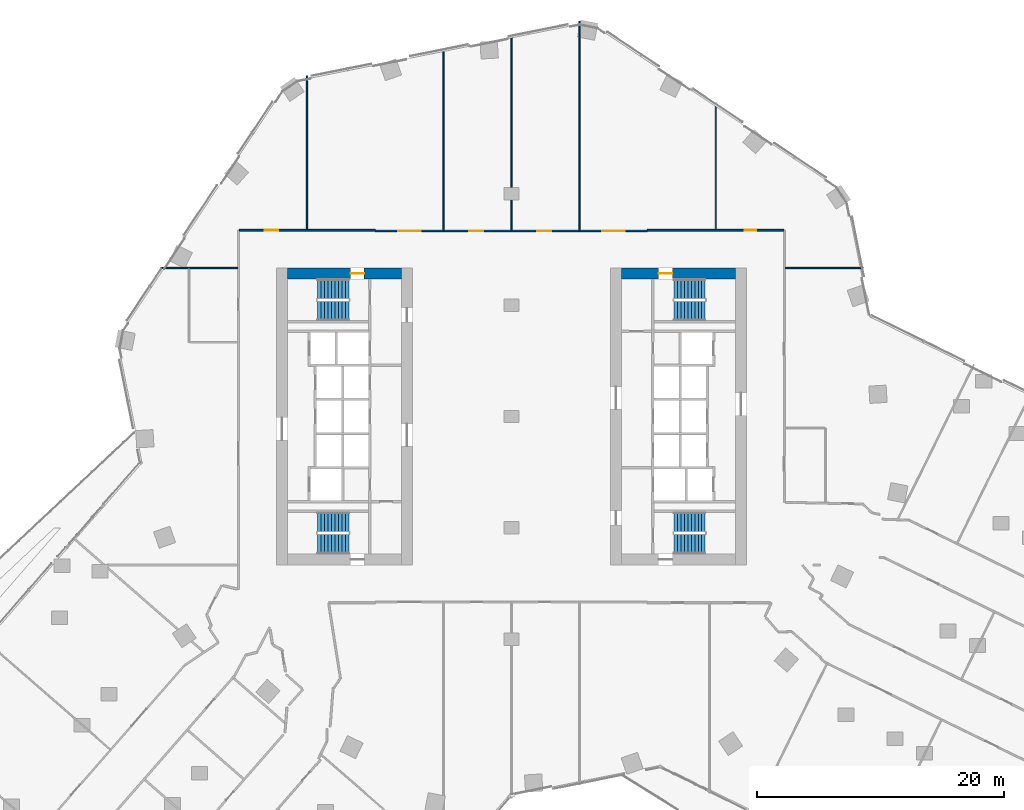
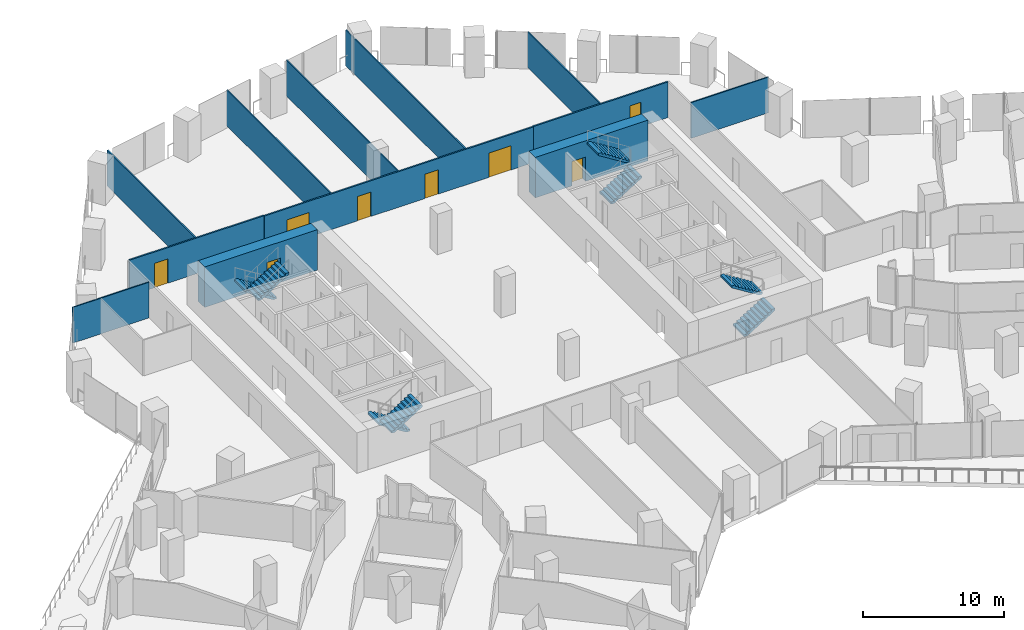
# One storey, part 27 of 32: 12 walls, 8 doors, 8 stair flights, 8 openings, 4 elements without a shape of their own.
"""IFC4 building model written with IfcOpenShell, lengths in metres."""

from ifc_helpers import new_model, si_unit, direction, frame, frame_2d, origin, place, context, subcontext, project, spatial, polyline, rectangle, outline, extrude, material, layer, layer_set, type_object, element, fill, aggregate, save


model = new_model("IFC4")

# Units and contexts
model_context = context("Model", 3, precision=1e-05, world=origin(), true_north=direction((0.0, 1.0)))
body_context = subcontext(model_context, "Body", "Model", "MODEL_VIEW")
ifc_project = project(units=[si_unit("LENGTHUNIT", "METRE"), si_unit("AREAUNIT", "SQUARE_METRE"), si_unit("VOLUMEUNIT", "CUBIC_METRE"), si_unit("PLANEANGLEUNIT", "RADIAN"), si_unit("MASSUNIT", "GRAM", prefix="KILO")], contexts=[model_context])

# Site, building, storey
site_placement = place(None, origin())
site = spatial("IfcSite", under=ifc_project, at=site_placement, CompositionType="ELEMENT")
building_placement = place(site_placement, origin())
building = spatial("IfcBuilding", under=site, at=building_placement, Name="Orlundy Tower", CompositionType="ELEMENT")
storey_placement = place(building_placement, frame((0.0, 0.0, 58.800048828125)))
storey = spatial("IfcBuildingStorey", under=building, at=storey_placement, Name="L13", CompositionType="ELEMENT", Elevation=58.800048828125)

# Wall, opening, door
ifc_material_1 = material(Name="Concrete C80/95", Category="concrete")
ifc_layer_1 = layer(ifc_material_1, 0.89990234375)
ifc_layer_set_1 = layer_set([ifc_layer_1], Name="CORE WALL 900 C80/95")
wall_type_1 = type_object("IfcWallType", Name="CORE WALL 900 C80/95", PredefinedType="SHEAR", material=ifc_layer_set_1)
wall_1_placement = place(storey_placement, frame((-18.10009765625, 11.550048828125, 0.0), z_axis=(0.0, 0.0, 1.0), x_axis=(1.0, 0.0, 0.0)))
wall_1 = element("IfcWall", 1, at=wall_1_placement, inside=storey, type_object=wall_type_1, Name="Core wall W-N L13", PredefinedType="SHEAR", context=body_context, shape_type="SweptSolid", body=[
    extrude(rectangle(XDim=9.2001953125, YDim=0.89990234375, at=frame_2d((4.60009765625, 0.0))), origin(), (0.0, 0.0, 1.0), 3.5),
])
opening_1_placement = place(wall_1_placement, frame((5.10009765625, 0.0, 0.0)))
opening_1 = element("IfcOpeningElement", 2, at=opening_1_placement, cuts=wall_1, Name="Opening 12012", PredefinedType="OPENING", context=body_context, shape_type="SweptSolid", body=[
    extrude(rectangle(XDim=1.10009765625, YDim=2.10009765625, at=frame_2d((0.550048828125, 1.050048828125))), frame((0.0, 0.4599609375, 0.0), z_axis=(0.0, -1.0, 0.0), x_axis=(1.0, 0.0, 0.0)), (0.0, 0.0, 1.0), 0.919921875),
])
ifc_material_2 = material(Name="Steel door set", Category="steel")
door_type_1 = type_object("IfcDoorType", Name="Stair Door 1100x2100", OperationType="SINGLE_SWING_LEFT", PredefinedType="DOOR", material=ifc_material_2)
door_1_placement = place(opening_1_placement, origin())
door_1 = element("IfcDoor", 3, at=door_1_placement, inside=storey, type_object=door_type_1, Name="Stair door 12012", OperationType="SINGLE_SWING_RIGHT", OverallHeight=2.10009765625, OverallWidth=1.10009765625, PredefinedType="DOOR", context=body_context, shape_type="SweptSolid", body=[
    extrude(rectangle(XDim=1.10009765625, YDim=2.10009765625, at=frame_2d((0.550048828125, 1.050048828125))), frame((0.0, 0.02490234375, 0.0), z_axis=(0.0, -1.0, 0.0), x_axis=(1.0, 0.0, 0.0)), (0.0, 0.0, 1.0), 0.050048828125),
])
fill(opening_1, door_1)

wall_2_placement = place(storey_placement, frame((8.89990234375, 11.550048828125, 0.0), z_axis=(0.0, 0.0, 1.0), x_axis=(1.0, 0.0, 0.0)))
wall_2 = element("IfcWall", 4, at=wall_2_placement, inside=storey, type_object=wall_type_1, Name="Core wall E-N L13", PredefinedType="SHEAR", context=body_context, shape_type="SweptSolid", body=[
    extrude(rectangle(XDim=9.2001953125, YDim=0.89990234375, at=frame_2d((4.60009765625, 0.0))), origin(), (0.0, 0.0, 1.0), 3.5),
])
opening_2_placement = place(wall_2_placement, frame((3.0, 0.0, 0.0)))
opening_2 = element("IfcOpeningElement", 5, at=opening_2_placement, cuts=wall_2, Name="Opening 12062", PredefinedType="OPENING", context=body_context, shape_type="SweptSolid", body=[
    extrude(rectangle(XDim=1.10009765625, YDim=2.10009765625, at=frame_2d((0.550048828125, 1.050048828125))), frame((0.0, 0.4599609375, 0.0), z_axis=(0.0, -1.0, 0.0), x_axis=(1.0, 0.0, 0.0)), (0.0, 0.0, 1.0), 0.919921875),
])
door_2_placement = place(opening_2_placement, origin())
door_2 = element("IfcDoor", 6, at=door_2_placement, inside=storey, type_object=door_type_1, Name="Stair door 12062", OperationType="SINGLE_SWING_LEFT", OverallHeight=2.10009765625, OverallWidth=1.10009765625, PredefinedType="DOOR", context=body_context, shape_type="SweptSolid", body=[
    extrude(rectangle(XDim=1.10009765625, YDim=2.10009765625, at=frame_2d((0.550048828125, 1.050048828125))), frame((0.0, 0.02490234375, 0.0), z_axis=(0.0, -1.0, 0.0), x_axis=(1.0, 0.0, 0.0)), (0.0, 0.0, 1.0), 0.050048828125),
])
fill(opening_2, door_2)

# Walls
ifc_material_3 = material(Name="Gypsum board partition")
ifc_layer_2 = layer(ifc_material_3, 0.10009765625)
ifc_layer_set_2 = layer_set([ifc_layer_2], Name="Floor partition 100")
wall_type_2 = type_object("IfcWallType", Name="Floor partition 100", PredefinedType="PARTITIONING", material=ifc_layer_set_2)
wall_3_placement = place(storey_placement, frame((-28.35302734375, 12.0, 0.0), z_axis=(0.0, 0.0, 1.0), x_axis=(1.0, 0.0, 0.0)))
element("IfcWall", 7, at=wall_3_placement, inside=storey, type_object=wall_type_2, Name="wall-int-L13-055", PredefinedType="PARTITIONING", context=body_context, shape_type="SweptSolid", body=[
    extrude(rectangle(XDim=6.22802734375, YDim=0.10009765625, at=frame_2d((3.114013671875, 0.0))), origin(), (0.0, 0.0, 1.0), 3.079833984375),
])
wall_4_placement = place(storey_placement, frame((22.113037109375, 12.0, 0.0), z_axis=(0.0, 0.0, 1.0), x_axis=(1.0, 0.0, 0.0)))
element("IfcWall", 8, at=wall_4_placement, inside=storey, type_object=wall_type_2, Name="wall-int-L13-056", PredefinedType="PARTITIONING", context=body_context, shape_type="SweptSolid", body=[
    extrude(rectangle(XDim=6.333984375, YDim=0.10009765625, at=frame_2d((3.1669921875, 0.0))), origin(), (0.0, 0.0, 1.0), 3.079833984375),
])
wall_5_placement = place(storey_placement, frame((16.52099609375, 15.114013671875, 0.0), z_axis=(0.0, 0.0, 1.0), x_axis=(0.0, 1.0, 0.0)))
element("IfcWall", 9, at=wall_5_placement, inside=storey, type_object=wall_type_2, Name="wall-int-L13-100", PredefinedType="PARTITIONING", context=body_context, shape_type="SweptSolid", body=[
    extrude(rectangle(XDim=10.22802734375, YDim=0.10009765625, at=frame_2d((5.114013671875, 0.0))), origin(), (0.0, 0.0, 1.0), 3.079833984375),
])
wall_6_placement = place(storey_placement, frame((5.4951171875, 15.06298828125, 0.0), z_axis=(0.0, 0.0, 1.0), x_axis=(0.0, 1.0, 0.0)))
element("IfcWall", 10, at=wall_6_placement, inside=storey, type_object=wall_type_2, Name="wall-int-L13-103", PredefinedType="PARTITIONING", context=body_context, shape_type="SweptSolid", body=[
    extrude(rectangle(XDim=16.888916015625, YDim=0.10009765625, at=frame_2d((8.4443359375, 0.0))), origin(), (0.0, 0.0, 1.0), 3.079833984375),
])
wall_7_placement = place(storey_placement, frame((0.0, 15.06298828125, 0.0), z_axis=(0.0, 0.0, 1.0), x_axis=(0.0, 1.0, 0.0)))
element("IfcWall", 11, at=wall_7_placement, inside=storey, type_object=wall_type_2, Name="wall-int-L13-105", PredefinedType="PARTITIONING", context=body_context, shape_type="SweptSolid", body=[
    extrude(rectangle(XDim=15.7880859375, YDim=0.10009765625, at=frame_2d((7.89404296875, 0.0))), origin(), (0.0, 0.0, 1.0), 3.079833984375),
])
wall_8_placement = place(storey_placement, frame((-5.4951171875, 15.06298828125, 0.0), z_axis=(0.0, 0.0, 1.0), x_axis=(0.0, 1.0, 0.0)))
element("IfcWall", 12, at=wall_8_placement, inside=storey, type_object=wall_type_2, Name="wall-int-L13-107", PredefinedType="PARTITIONING", context=body_context, shape_type="SweptSolid", body=[
    extrude(rectangle(XDim=14.68701171875, YDim=0.10009765625, at=frame_2d((7.343505859375, 0.0))), origin(), (0.0, 0.0, 1.0), 3.079833984375),
])
wall_9_placement = place(storey_placement, frame((-16.52001953125, 15.114013671875, 0.0), z_axis=(0.0, 0.0, 1.0), x_axis=(0.0, 1.0, 0.0)))
element("IfcWall", 13, at=wall_9_placement, inside=storey, type_object=wall_type_2, Name="wall-int-L13-109", PredefinedType="PARTITIONING", context=body_context, shape_type="SweptSolid", body=[
    extrude(rectangle(XDim=12.427001953125, YDim=0.10009765625, at=frame_2d((6.21337890625, 0.0))), origin(), (0.0, 0.0, 1.0), 3.079833984375),
])

# Wall, openings, doors
ifc_material_4 = material(Name="Gypsum board partition, double layer")
ifc_layer_3 = layer(ifc_material_4, 0.125)
ifc_layer_set_3 = layer_set([ifc_layer_3], Name="Floor partition 125")
wall_type_3 = type_object("IfcWallType", Name="Floor partition 125", PredefinedType="PARTITIONING", material=ifc_layer_set_3)
wall_10_placement = place(storey_placement, frame((-10.989990234375, 15.0009765625, 0.0), z_axis=(0.0, 0.0, 1.0), x_axis=(1.0, 0.0, 0.0)))
wall_10 = element("IfcWall", 14, at=wall_10_placement, inside=storey, type_object=wall_type_3, Name="wall-int-L13-057", PredefinedType="PARTITIONING", context=body_context, shape_type="SweptSolid", body=[
    extrude(rectangle(XDim=21.97998046875, YDim=0.125, at=frame_2d((10.989990234375, 0.0))), origin(), (0.0, 0.0, 1.0), 3.079833984375),
])
opening_3_placement = place(wall_10_placement, frame((18.3349609375, 0.0, 0.0)))
opening_3 = element("IfcOpeningElement", 15, at=opening_3_placement, cuts=wall_10, Name="Opening 12129", PredefinedType="OPENING", context=body_context, shape_type="SweptSolid", body=[
    extrude(rectangle(XDim=1.800048828125, YDim=2.10009765625, at=frame_2d((0.89990234375, 1.050048828125))), frame((0.0, 0.072509765625, 0.0), z_axis=(0.0, -1.0, 0.0), x_axis=(1.0, 0.0, 0.0)), (0.0, 0.0, 1.0), 0.14501953125),
])
opening_4_placement = place(wall_10_placement, frame((13.090087890625, 0.0, 0.0)))
opening_4 = element("IfcOpeningElement", 16, at=opening_4_placement, cuts=wall_10, Name="Opening 12130", PredefinedType="OPENING", context=body_context, shape_type="SweptSolid", body=[
    extrude(rectangle(XDim=1.10009765625, YDim=2.10009765625, at=frame_2d((0.550048828125, 1.050048828125))), frame((0.0, 0.072509765625, 0.0), z_axis=(0.0, -1.0, 0.0), x_axis=(1.0, 0.0, 0.0)), (0.0, 0.0, 1.0), 0.14501953125),
])
opening_5_placement = place(wall_10_placement, frame((7.594970703125, 0.0, 0.0)))
opening_5 = element("IfcOpeningElement", 17, at=opening_5_placement, cuts=wall_10, Name="Opening 12131", PredefinedType="OPENING", context=body_context, shape_type="SweptSolid", body=[
    extrude(rectangle(XDim=1.10009765625, YDim=2.10009765625, at=frame_2d((0.550048828125, 1.050048828125))), frame((0.0, 0.072509765625, 0.0), z_axis=(0.0, -1.0, 0.0), x_axis=(1.0, 0.0, 0.0)), (0.0, 0.0, 1.0), 0.14501953125),
])
opening_6_placement = place(wall_10_placement, frame((1.85009765625, 0.0, 0.0)))
opening_6 = element("IfcOpeningElement", 18, at=opening_6_placement, cuts=wall_10, Name="Opening 12132", PredefinedType="OPENING", context=body_context, shape_type="SweptSolid", body=[
    extrude(rectangle(XDim=1.800048828125, YDim=2.10009765625, at=frame_2d((0.89990234375, 1.050048828125))), frame((0.0, 0.072509765625, 0.0), z_axis=(0.0, -1.0, 0.0), x_axis=(1.0, 0.0, 0.0)), (0.0, 0.0, 1.0), 0.14501953125),
])
ifc_material_5 = material(Name="Timber door leaf", Category="wood")
door_type_2 = type_object("IfcDoorType", Name="Floor door double 1800 FD30S", OperationType="NOTDEFINED", PredefinedType="DOOR", material=ifc_material_5)
door_3_placement = place(opening_3_placement, origin())
door_3 = element("IfcDoor", 19, at=door_3_placement, inside=storey, type_object=door_type_2, Name="Door 12129", OperationType="DOUBLE_DOOR_SINGLE_SWING", OverallHeight=2.10009765625, OverallWidth=1.800048828125, PredefinedType="DOOR", context=body_context, shape_type="SweptSolid", body=[
    extrude(rectangle(XDim=1.800048828125, YDim=2.10009765625, at=frame_2d((0.89990234375, 1.050048828125))), frame((0.0, 0.02490234375, 0.0), z_axis=(0.0, -1.0, 0.0), x_axis=(1.0, 0.0, 0.0)), (0.0, 0.0, 1.0), 0.050048828125),
])
fill(opening_3, door_3)
door_4_placement = place(opening_6_placement, origin())
door_4 = element("IfcDoor", 20, at=door_4_placement, inside=storey, type_object=door_type_2, Name="Door 12132", OperationType="DOUBLE_DOOR_SINGLE_SWING", OverallHeight=2.10009765625, OverallWidth=1.800048828125, PredefinedType="DOOR", context=body_context, shape_type="SweptSolid", body=[
    extrude(rectangle(XDim=1.800048828125, YDim=2.10009765625, at=frame_2d((0.89990234375, 1.050048828125))), frame((0.0, 0.02490234375, 0.0), z_axis=(0.0, -1.0, 0.0), x_axis=(1.0, 0.0, 0.0)), (0.0, 0.0, 1.0), 0.050048828125),
])
fill(opening_6, door_4)
ifc_material_6 = material(Name="Timber door leaf", Category="wood")
door_type_3 = type_object("IfcDoorType", Name="Floor door xwide 1100 FD30S", OperationType="NOTDEFINED", PredefinedType="DOOR", material=ifc_material_6)
door_5_placement = place(opening_4_placement, origin())
door_5 = element("IfcDoor", 21, at=door_5_placement, inside=storey, type_object=door_type_3, Name="Door 12130", OperationType="SINGLE_SWING_RIGHT", OverallHeight=2.10009765625, OverallWidth=1.10009765625, PredefinedType="DOOR", context=body_context, shape_type="SweptSolid", body=[
    extrude(rectangle(XDim=1.10009765625, YDim=2.10009765625, at=frame_2d((0.550048828125, 1.050048828125))), frame((0.0, 0.02490234375, 0.0), z_axis=(0.0, -1.0, 0.0), x_axis=(1.0, 0.0, 0.0)), (0.0, 0.0, 1.0), 0.050048828125),
])
fill(opening_4, door_5)
door_6_placement = place(opening_5_placement, origin())
door_6 = element("IfcDoor", 22, at=door_6_placement, inside=storey, type_object=door_type_3, Name="Door 12131", OperationType="SINGLE_SWING_LEFT", OverallHeight=2.10009765625, OverallWidth=1.10009765625, PredefinedType="DOOR", context=body_context, shape_type="SweptSolid", body=[
    extrude(rectangle(XDim=1.10009765625, YDim=2.10009765625, at=frame_2d((0.550048828125, 1.050048828125))), frame((0.0, 0.02490234375, 0.0), z_axis=(0.0, -1.0, 0.0), x_axis=(1.0, 0.0, 0.0)), (0.0, 0.0, 1.0), 0.050048828125),
])
fill(opening_5, door_6)

# Wall, opening, door
wall_11_placement = place(storey_placement, frame((-21.97509765625, 15.051025390625, 0.0), z_axis=(0.0, 0.0, 1.0), x_axis=(1.0, 0.0, 0.0)))
wall_11 = element("IfcWall", 23, at=wall_11_placement, inside=storey, type_object=wall_type_3, Name="wall-int-L13-058", PredefinedType="PARTITIONING", context=body_context, shape_type="SweptSolid", body=[
    extrude(rectangle(XDim=10.984130859375, YDim=0.125, at=frame_2d((5.4921875, 0.0))), origin(), (0.0, 0.0, 1.0), 3.079833984375),
])
opening_7_placement = place(wall_11_placement, frame((2.02490234375, 0.0, 0.0)))
opening_7 = element("IfcOpeningElement", 24, at=opening_7_placement, cuts=wall_11, Name="Opening 12133", PredefinedType="OPENING", context=body_context, shape_type="SweptSolid", body=[
    extrude(rectangle(XDim=1.10009765625, YDim=2.10009765625, at=frame_2d((0.550048828125, 1.050048828125))), frame((0.0, 0.072509765625, 0.0), z_axis=(0.0, -1.0, 0.0), x_axis=(1.0, 0.0, 0.0)), (0.0, 0.0, 1.0), 0.14501953125),
])
door_7_placement = place(opening_7_placement, origin())
door_7 = element("IfcDoor", 25, at=door_7_placement, inside=storey, type_object=door_type_3, Name="Door 12133", OperationType="SINGLE_SWING_LEFT", OverallHeight=2.10009765625, OverallWidth=1.10009765625, PredefinedType="DOOR", context=body_context, shape_type="SweptSolid", body=[
    extrude(rectangle(XDim=1.10009765625, YDim=2.10009765625, at=frame_2d((0.550048828125, 1.050048828125))), frame((0.0, 0.02490234375, 0.0), z_axis=(0.0, -1.0, 0.0), x_axis=(1.0, 0.0, 0.0)), (0.0, 0.0, 1.0), 0.050048828125),
])
fill(opening_7, door_7)

wall_12_placement = place(storey_placement, frame((10.990966796875, 15.051025390625, 0.0), z_axis=(0.0, 0.0, 1.0), x_axis=(1.0, 0.0, 0.0)))
wall_12 = element("IfcWall", 26, at=wall_12_placement, inside=storey, type_object=wall_type_3, Name="wall-int-L13-059", PredefinedType="PARTITIONING", context=body_context, shape_type="SweptSolid", body=[
    extrude(rectangle(XDim=10.9970703125, YDim=0.125, at=frame_2d((5.49853515625, 0.0))), origin(), (0.0, 0.0, 1.0), 3.079833984375),
])
opening_8_placement = place(wall_12_placement, frame((7.8798828125, 0.0, 0.0)))
opening_8 = element("IfcOpeningElement", 27, at=opening_8_placement, cuts=wall_12, Name="Opening 12128", PredefinedType="OPENING", context=body_context, shape_type="SweptSolid", body=[
    extrude(rectangle(XDim=0.89990234375, YDim=2.10009765625, at=frame_2d((0.449951171875, 1.050048828125))), frame((0.0, 0.072509765625, 0.0), z_axis=(0.0, -1.0, 0.0), x_axis=(1.0, 0.0, 0.0)), (0.0, 0.0, 1.0), 0.14501953125),
])
ifc_material_7 = material(Name="Timber door leaf", Category="wood")
door_type_4 = type_object("IfcDoorType", Name="Floor door single 900 FD30S", OperationType="NOTDEFINED", PredefinedType="DOOR", material=ifc_material_7)
door_8_placement = place(opening_8_placement, origin())
door_8 = element("IfcDoor", 28, at=door_8_placement, inside=storey, type_object=door_type_4, Name="Door 12128", OperationType="SINGLE_SWING_RIGHT", OverallHeight=2.10009765625, OverallWidth=0.89990234375, PredefinedType="DOOR", context=body_context, shape_type="SweptSolid", body=[
    extrude(rectangle(XDim=0.89990234375, YDim=2.10009765625, at=frame_2d((0.449951171875, 1.050048828125))), frame((0.0, 0.02490234375, 0.0), z_axis=(0.0, -1.0, 0.0), x_axis=(1.0, 0.0, 0.0)), (0.0, 0.0, 1.0), 0.050048828125),
])
fill(opening_8, door_8)

# Stair, stair flights
ifc_material_8 = material(Name="Concrete C50/60", Category="concrete")
stair_type = type_object("IfcStairType", Name="Exit Stair 20 risers", PredefinedType="HALF_TURN_STAIR", material=ifc_material_8)
stair_1_placement = place(storey_placement, origin())
stair_1 = element("IfcStair", 29, at=stair_1_placement, inside=storey, type_object=stair_type, Name="L13 Exit Stair ST-W1", PredefinedType="HALF_TURN_STAIR")
ifc_material_9 = material(Name="Concrete C50/60", Category="concrete")
stair_flight_type = type_object("IfcStairFlightType", Name="Stair Flight 10 risers", PredefinedType="STRAIGHT", material=ifc_material_9)
stair_flight_1_placement = place(storey_placement, frame((-13.139892578125, 10.300048828125, 0.0), z_axis=(0.0, 0.0, 1.0), x_axis=(-1.0, 0.0, 0.0)))
stair_flight_1 = element("IfcStairFlight", 30, at=stair_flight_1_placement, type_object=stair_flight_type, Name="ST-W1 flight 1", NumberOfRisers=10, NumberOfTreads=9, PredefinedType="STRAIGHT", RiserHeight=0.175, TreadLength=0.28, context=body_context, shape_type="SweptSolid", body=[
    extrude(outline(polyline([(0.0, 0.0), (0.0, 0.175048828125), (0.280029296875, 0.175048828125), (0.280029296875, 0.35009765625), (0.56005859375, 0.35009765625), (0.56005859375, 0.52490234375), (0.840087890625, 0.52490234375), (0.840087890625, 0.699951171875), (1.1201171875, 0.699951171875), (1.1201171875, 0.875), (1.39990234375, 0.875), (1.39990234375, 1.050048828125), (1.679931640625, 1.050048828125), (1.679931640625, 1.22509765625), (1.9599609375, 1.22509765625), (1.9599609375, 1.39990234375), (2.239990234375, 1.39990234375), (2.239990234375, 1.574951171875), (2.52001953125, 1.574951171875), (2.52001953125, 1.75), (2.52001953125, 1.398193359375), (0.28271484375, 0.0), (0.0, 0.0)])), frame((0.0, 0.800048828125, 0.0), z_axis=(0.0, -1.0, 0.0), x_axis=(1.0, 0.0, 0.0)), (0.0, 0.0, 1.0), 1.60009765625),
])
stair_flight_2_placement = place(storey_placement, frame((-15.659912109375, 8.550048828125, 1.75), z_axis=(0.0, 0.0, 1.0), x_axis=(1.0, 0.0, 0.0)))
stair_flight_2 = element("IfcStairFlight", 31, at=stair_flight_2_placement, type_object=stair_flight_type, Name="ST-W1 flight 2", NumberOfRisers=10, NumberOfTreads=9, PredefinedType="STRAIGHT", RiserHeight=0.175, TreadLength=0.28, context=body_context, shape_type="SweptSolid", body=[
    extrude(outline(polyline([(0.0, 0.0), (0.0, 0.175048828125), (0.280029296875, 0.175048828125), (0.280029296875, 0.35009765625), (0.56005859375, 0.35009765625), (0.56005859375, 0.52490234375), (0.840087890625, 0.52490234375), (0.840087890625, 0.699951171875), (1.1201171875, 0.699951171875), (1.1201171875, 0.875), (1.39990234375, 0.875), (1.39990234375, 1.050048828125), (1.679931640625, 1.050048828125), (1.679931640625, 1.22509765625), (1.9599609375, 1.22509765625), (1.9599609375, 1.39990234375), (2.239990234375, 1.39990234375), (2.239990234375, 1.574951171875), (2.52001953125, 1.574951171875), (2.52001953125, 1.75), (2.52001953125, 1.398193359375), (0.28271484375, 0.0), (0.0, 0.0)])), frame((0.0, 0.800048828125, 0.0), z_axis=(0.0, -1.0, 0.0), x_axis=(1.0, 0.0, 0.0)), (0.0, 0.0, 1.0), 1.60009765625),
])
aggregate(stair_1, [stair_flight_1, stair_flight_2])

stair_2_placement = place(storey_placement, origin())
stair_2 = element("IfcStair", 32, at=stair_2_placement, inside=storey, type_object=stair_type, Name="L13 Exit Stair ST-W2", PredefinedType="HALF_TURN_STAIR")
stair_flight_3_placement = place(storey_placement, frame((-13.139892578125, -8.550048828125, 0.0), z_axis=(0.0, 0.0, 1.0), x_axis=(-1.0, 0.0, 0.0)))
stair_flight_3 = element("IfcStairFlight", 33, at=stair_flight_3_placement, type_object=stair_flight_type, Name="ST-W2 flight 1", NumberOfRisers=10, NumberOfTreads=9, PredefinedType="STRAIGHT", RiserHeight=0.175, TreadLength=0.28, context=body_context, shape_type="SweptSolid", body=[
    extrude(outline(polyline([(0.0, 0.0), (0.0, 0.175048828125), (0.280029296875, 0.175048828125), (0.280029296875, 0.35009765625), (0.56005859375, 0.35009765625), (0.56005859375, 0.52490234375), (0.840087890625, 0.52490234375), (0.840087890625, 0.699951171875), (1.1201171875, 0.699951171875), (1.1201171875, 0.875), (1.39990234375, 0.875), (1.39990234375, 1.050048828125), (1.679931640625, 1.050048828125), (1.679931640625, 1.22509765625), (1.9599609375, 1.22509765625), (1.9599609375, 1.39990234375), (2.239990234375, 1.39990234375), (2.239990234375, 1.574951171875), (2.52001953125, 1.574951171875), (2.52001953125, 1.75), (2.52001953125, 1.398193359375), (0.28271484375, 0.0), (0.0, 0.0)])), frame((0.0, 0.800048828125, 0.0), z_axis=(0.0, -1.0, 0.0), x_axis=(1.0, 0.0, 0.0)), (0.0, 0.0, 1.0), 1.60009765625),
])
stair_flight_4_placement = place(storey_placement, frame((-15.659912109375, -10.300048828125, 1.75), z_axis=(0.0, 0.0, 1.0), x_axis=(1.0, 0.0, 0.0)))
stair_flight_4 = element("IfcStairFlight", 34, at=stair_flight_4_placement, type_object=stair_flight_type, Name="ST-W2 flight 2", NumberOfRisers=10, NumberOfTreads=9, PredefinedType="STRAIGHT", RiserHeight=0.175, TreadLength=0.28, context=body_context, shape_type="SweptSolid", body=[
    extrude(outline(polyline([(0.0, 0.0), (0.0, 0.175048828125), (0.280029296875, 0.175048828125), (0.280029296875, 0.35009765625), (0.56005859375, 0.35009765625), (0.56005859375, 0.52490234375), (0.840087890625, 0.52490234375), (0.840087890625, 0.699951171875), (1.1201171875, 0.699951171875), (1.1201171875, 0.875), (1.39990234375, 0.875), (1.39990234375, 1.050048828125), (1.679931640625, 1.050048828125), (1.679931640625, 1.22509765625), (1.9599609375, 1.22509765625), (1.9599609375, 1.39990234375), (2.239990234375, 1.39990234375), (2.239990234375, 1.574951171875), (2.52001953125, 1.574951171875), (2.52001953125, 1.75), (2.52001953125, 1.398193359375), (0.28271484375, 0.0), (0.0, 0.0)])), frame((0.0, 0.800048828125, 0.0), z_axis=(0.0, -1.0, 0.0), x_axis=(1.0, 0.0, 0.0)), (0.0, 0.0, 1.0), 1.60009765625),
])
aggregate(stair_2, [stair_flight_3, stair_flight_4])

stair_3_placement = place(storey_placement, origin())
stair_3 = element("IfcStair", 35, at=stair_3_placement, inside=storey, type_object=stair_type, Name="L13 Exit Stair ST-E1", PredefinedType="HALF_TURN_STAIR")
stair_flight_5_placement = place(storey_placement, frame((13.139892578125, -10.300048828125, 0.0), z_axis=(0.0, 0.0, 1.0), x_axis=(1.0, 0.0, 0.0)))
stair_flight_5 = element("IfcStairFlight", 36, at=stair_flight_5_placement, type_object=stair_flight_type, Name="ST-E1 flight 1", NumberOfRisers=10, NumberOfTreads=9, PredefinedType="STRAIGHT", RiserHeight=0.175, TreadLength=0.28, context=body_context, shape_type="SweptSolid", body=[
    extrude(outline(polyline([(0.0, 0.0), (0.0, 0.175048828125), (0.280029296875, 0.175048828125), (0.280029296875, 0.35009765625), (0.56005859375, 0.35009765625), (0.56005859375, 0.52490234375), (0.840087890625, 0.52490234375), (0.840087890625, 0.699951171875), (1.1201171875, 0.699951171875), (1.1201171875, 0.875), (1.39990234375, 0.875), (1.39990234375, 1.050048828125), (1.679931640625, 1.050048828125), (1.679931640625, 1.22509765625), (1.9599609375, 1.22509765625), (1.9599609375, 1.39990234375), (2.239990234375, 1.39990234375), (2.239990234375, 1.574951171875), (2.52001953125, 1.574951171875), (2.52001953125, 1.75), (2.52001953125, 1.398193359375), (0.28271484375, 0.0), (0.0, 0.0)])), frame((0.0, 0.800048828125, 0.0), z_axis=(0.0, -1.0, 0.0), x_axis=(1.0, 0.0, 0.0)), (0.0, 0.0, 1.0), 1.60009765625),
])
stair_flight_6_placement = place(storey_placement, frame((15.659912109375, -8.550048828125, 1.75), z_axis=(0.0, 0.0, 1.0), x_axis=(-1.0, 0.0, 0.0)))
stair_flight_6 = element("IfcStairFlight", 37, at=stair_flight_6_placement, type_object=stair_flight_type, Name="ST-E1 flight 2", NumberOfRisers=10, NumberOfTreads=9, PredefinedType="STRAIGHT", RiserHeight=0.175, TreadLength=0.28, context=body_context, shape_type="SweptSolid", body=[
    extrude(outline(polyline([(0.0, 0.0), (0.0, 0.175048828125), (0.280029296875, 0.175048828125), (0.280029296875, 0.35009765625), (0.56005859375, 0.35009765625), (0.56005859375, 0.52490234375), (0.840087890625, 0.52490234375), (0.840087890625, 0.699951171875), (1.1201171875, 0.699951171875), (1.1201171875, 0.875), (1.39990234375, 0.875), (1.39990234375, 1.050048828125), (1.679931640625, 1.050048828125), (1.679931640625, 1.22509765625), (1.9599609375, 1.22509765625), (1.9599609375, 1.39990234375), (2.239990234375, 1.39990234375), (2.239990234375, 1.574951171875), (2.52001953125, 1.574951171875), (2.52001953125, 1.75), (2.52001953125, 1.398193359375), (0.28271484375, 0.0), (0.0, 0.0)])), frame((0.0, 0.800048828125, 0.0), z_axis=(0.0, -1.0, 0.0), x_axis=(1.0, 0.0, 0.0)), (0.0, 0.0, 1.0), 1.60009765625),
])
aggregate(stair_3, [stair_flight_5, stair_flight_6])

stair_4_placement = place(storey_placement, origin())
stair_4 = element("IfcStair", 38, at=stair_4_placement, inside=storey, type_object=stair_type, Name="L13 Exit Stair ST-E2", PredefinedType="HALF_TURN_STAIR")
stair_flight_7_placement = place(storey_placement, frame((13.139892578125, 8.550048828125, 0.0), z_axis=(0.0, 0.0, 1.0), x_axis=(1.0, 0.0, 0.0)))
stair_flight_7 = element("IfcStairFlight", 39, at=stair_flight_7_placement, type_object=stair_flight_type, Name="ST-E2 flight 1", NumberOfRisers=10, NumberOfTreads=9, PredefinedType="STRAIGHT", RiserHeight=0.175, TreadLength=0.28, context=body_context, shape_type="SweptSolid", body=[
    extrude(outline(polyline([(0.0, 0.0), (0.0, 0.175048828125), (0.280029296875, 0.175048828125), (0.280029296875, 0.35009765625), (0.56005859375, 0.35009765625), (0.56005859375, 0.52490234375), (0.840087890625, 0.52490234375), (0.840087890625, 0.699951171875), (1.1201171875, 0.699951171875), (1.1201171875, 0.875), (1.39990234375, 0.875), (1.39990234375, 1.050048828125), (1.679931640625, 1.050048828125), (1.679931640625, 1.22509765625), (1.9599609375, 1.22509765625), (1.9599609375, 1.39990234375), (2.239990234375, 1.39990234375), (2.239990234375, 1.574951171875), (2.52001953125, 1.574951171875), (2.52001953125, 1.75), (2.52001953125, 1.398193359375), (0.28271484375, 0.0), (0.0, 0.0)])), frame((0.0, 0.800048828125, 0.0), z_axis=(0.0, -1.0, 0.0), x_axis=(1.0, 0.0, 0.0)), (0.0, 0.0, 1.0), 1.60009765625),
])
stair_flight_8_placement = place(storey_placement, frame((15.659912109375, 10.300048828125, 1.75), z_axis=(0.0, 0.0, 1.0), x_axis=(-1.0, 0.0, 0.0)))
stair_flight_8 = element("IfcStairFlight", 40, at=stair_flight_8_placement, type_object=stair_flight_type, Name="ST-E2 flight 2", NumberOfRisers=10, NumberOfTreads=9, PredefinedType="STRAIGHT", RiserHeight=0.175, TreadLength=0.28, context=body_context, shape_type="SweptSolid", body=[
    extrude(outline(polyline([(0.0, 0.0), (0.0, 0.175048828125), (0.280029296875, 0.175048828125), (0.280029296875, 0.35009765625), (0.56005859375, 0.35009765625), (0.56005859375, 0.52490234375), (0.840087890625, 0.52490234375), (0.840087890625, 0.699951171875), (1.1201171875, 0.699951171875), (1.1201171875, 0.875), (1.39990234375, 0.875), (1.39990234375, 1.050048828125), (1.679931640625, 1.050048828125), (1.679931640625, 1.22509765625), (1.9599609375, 1.22509765625), (1.9599609375, 1.39990234375), (2.239990234375, 1.39990234375), (2.239990234375, 1.574951171875), (2.52001953125, 1.574951171875), (2.52001953125, 1.75), (2.52001953125, 1.398193359375), (0.28271484375, 0.0), (0.0, 0.0)])), frame((0.0, 0.800048828125, 0.0), z_axis=(0.0, -1.0, 0.0), x_axis=(1.0, 0.0, 0.0)), (0.0, 0.0, 1.0), 1.60009765625),
])
aggregate(stair_4, [stair_flight_7, stair_flight_8])

save(model, "model.ifc")
